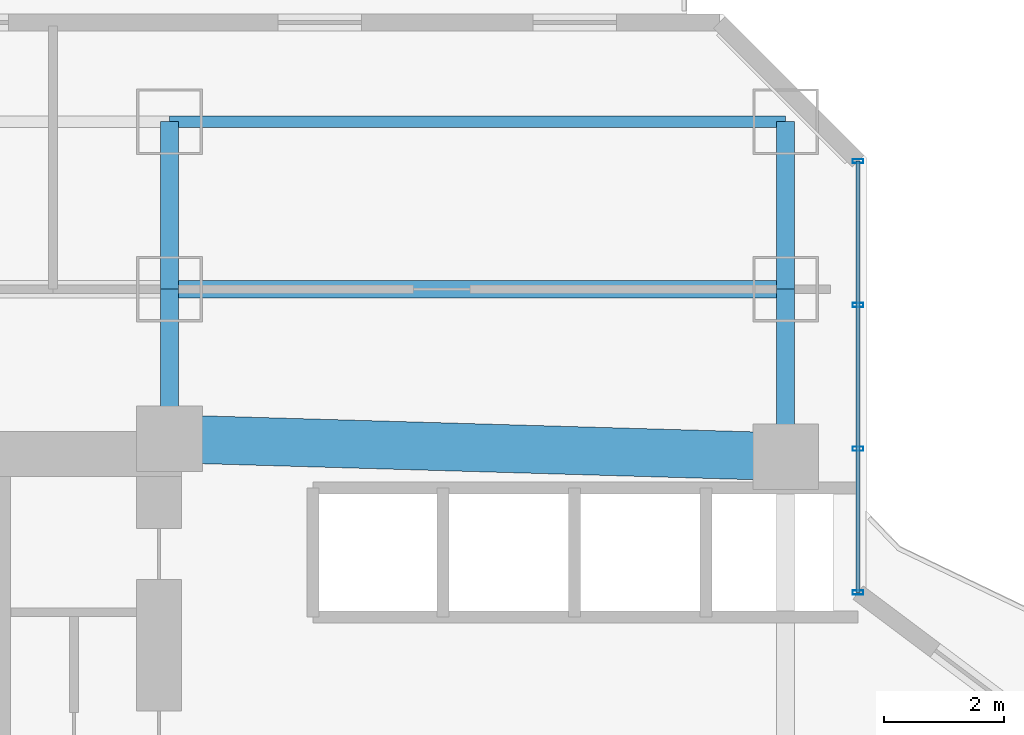
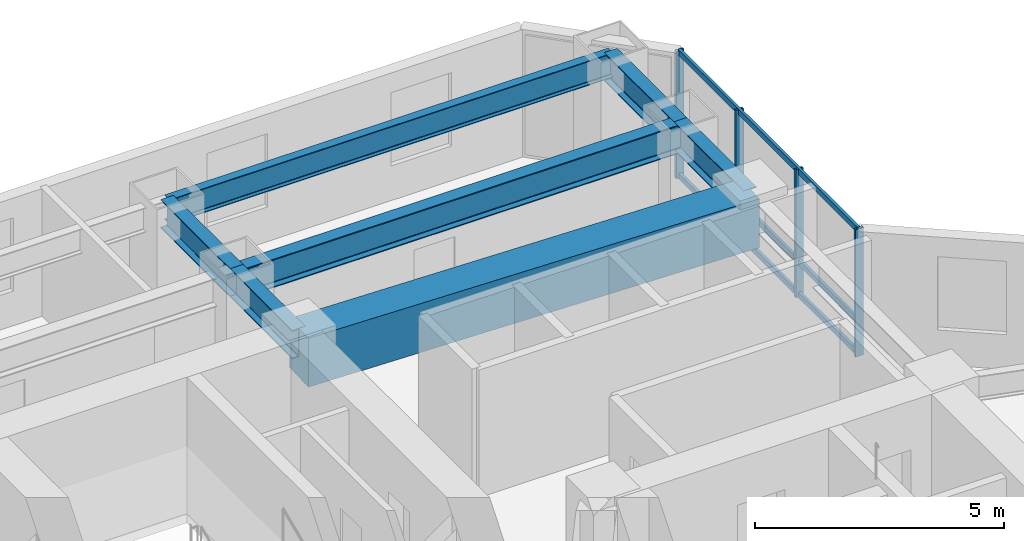
# One storey, part 18 of 33: 7 beams, 7 members, 1 element without a shape of its own.
"""IFC4 building model written with IfcOpenShell, lengths in metres."""

from ifc_helpers import new_model, si_unit, direction, frame, origin, origin_2d, place, context, subcontext, project, spatial, rectangle, hollow_rectangle, i_section, extrude, material, layer, layer_set, material_profile, profile_set, type_object, element, aggregate, save


model = new_model("IFC4")

# Units and contexts
model_context = context("Model", 3, precision=1e-05, world=origin(), true_north=direction((0.0, 1.0)))
body_context = subcontext(model_context, "Body", "Model", "MODEL_VIEW")
ifc_project = project(units=[si_unit("LENGTHUNIT", "METRE"), si_unit("AREAUNIT", "SQUARE_METRE"), si_unit("VOLUMEUNIT", "CUBIC_METRE"), si_unit("PLANEANGLEUNIT", "RADIAN"), si_unit("MASSUNIT", "GRAM", prefix="KILO")], contexts=[model_context])

# Site, building, storey
site_placement = place(None, origin())
site = spatial("IfcSite", under=ifc_project, at=site_placement, CompositionType="ELEMENT")
building_placement = place(site_placement, origin())
building = spatial("IfcBuilding", under=site, at=building_placement, Name="Hatsunagi Terrace Concourse", CompositionType="ELEMENT")
storey_placement = place(building_placement, frame((0.0, 0.0, 43.300048828125)))
storey = spatial("IfcBuildingStorey", under=building, at=storey_placement, Name="L10", CompositionType="ELEMENT", Elevation=43.300048828125)

# Beam
ifc_material_1 = material(Name="Concrete Fc60", Category="concrete")
ifc_material_profile_1 = material_profile(ifc_material_1, rectangle(XDim=0.800048828125, YDim=1.199951171875, at=origin_2d()), Name="RC-800x1200")
ifc_profile_set_1 = profile_set([ifc_material_profile_1], Name="Concrete Fc60")
beam_type_1 = type_object("IfcBeamType", Name="CoreCouplingBeam_RC_800x1200", PredefinedType="BEAM", material=ifc_profile_set_1)
beam_1_placement = place(storey_placement, frame((33.35009765625, 43.300048828125, 2.530029296875), z_axis=(0.999575947545, -0.029119153303, 0.0), x_axis=(0.029119153303, 0.999575947545, 0.0)))
element("IfcBeam", 1, at=beam_1_placement, inside=storey, type_object=beam_type_1, Name="Beam CB-01 CB-L10-2", PredefinedType="BEAM", context=body_context, shape_type="SweptSolid", body=[
    extrude(rectangle(XDim=0.800048828125, YDim=1.199951171875, at=origin_2d()), origin(), (0.0, 0.0, 1.0), 10.30419921875),
])

# Curtain wall, members
ifc_material_2 = material(Name="Anodised Aluminium Alloy 6063-T5", Category="aluminium")
ifc_layer = layer(ifc_material_2, 0.199951171875)
ifc_layer_set = layer_set([ifc_layer], Name="HotelFacade_CW02")
curtain_wall_type = type_object("IfcCurtainWallType", Name="HotelFacade_CW02", PredefinedType="NOTDEFINED", material=ifc_layer_set)
curtain_wall_placement = place(storey_placement, origin())
curtain_wall = element("IfcCurtainWall", 2, at=curtain_wall_placement, inside=storey, type_object=curtain_wall_type, Name="Unitised Curtain Wall CW-02 CW-L10-13", PredefinedType="NOTDEFINED")
ifc_material_3 = material(Name="Anodised Aluminium Alloy 6063-T5", Category="aluminium")
ifc_material_profile_2 = material_profile(ifc_material_3, hollow_rectangle(XDim=0.070068359375, YDim=0.179931640625, WallThickness=0.00390625, at=origin_2d()), Name="ALU-MUL-180x70x4")
ifc_profile_set_2 = profile_set([ifc_material_profile_2], Name="Anodised Aluminium Alloy 6063-T5")
member_type_1 = type_object("IfcMemberType", Name="CurtainWallMullion_180x70", PredefinedType="MULLION", material=ifc_profile_set_2)
member_1_placement = place(storey_placement, frame((44.860107421875, 47.94189453125, 0.0), z_axis=(0.0, 0.0, 1.0), x_axis=(0.0, -1.0, 0.0)))
member_1 = element("IfcMember", 3, at=member_1_placement, type_object=member_type_1, Name="Curtain Wall Mullion MUL-02", PredefinedType="MULLION", context=body_context, shape_type="SweptSolid", body=[
    extrude(hollow_rectangle(XDim=0.070068359375, YDim=0.179931640625, WallThickness=0.00390625, at=origin_2d()), origin(), (0.0, 0.0, 1.0), 3.1298828125),
])
member_2_placement = place(storey_placement, frame((44.860107421875, 45.5380859375, 0.0), z_axis=(0.0, 0.0, 1.0), x_axis=(0.0, -1.0, 0.0)))
member_2 = element("IfcMember", 4, at=member_2_placement, type_object=member_type_1, Name="Curtain Wall Mullion MUL-02", PredefinedType="MULLION", context=body_context, shape_type="SweptSolid", body=[
    extrude(hollow_rectangle(XDim=0.070068359375, YDim=0.179931640625, WallThickness=0.00390625, at=origin_2d()), origin(), (0.0, 0.0, 1.0), 3.1298828125),
])
member_3_placement = place(storey_placement, frame((44.860107421875, 43.134033203125, 0.0), z_axis=(0.0, 0.0, 1.0), x_axis=(0.0, -1.0, 0.0)))
member_3 = element("IfcMember", 5, at=member_3_placement, type_object=member_type_1, Name="Curtain Wall Mullion MUL-02", PredefinedType="MULLION", context=body_context, shape_type="SweptSolid", body=[
    extrude(hollow_rectangle(XDim=0.070068359375, YDim=0.179931640625, WallThickness=0.00390625, at=origin_2d()), origin(), (0.0, 0.0, 1.0), 3.1298828125),
])
member_4_placement = place(storey_placement, frame((44.860107421875, 40.72998046875, 0.0), z_axis=(0.0, 0.0, 1.0), x_axis=(0.0, -1.0, 0.0)))
member_4 = element("IfcMember", 6, at=member_4_placement, type_object=member_type_1, Name="Curtain Wall Mullion MUL-02", PredefinedType="MULLION", context=body_context, shape_type="SweptSolid", body=[
    extrude(hollow_rectangle(XDim=0.070068359375, YDim=0.179931640625, WallThickness=0.00390625, at=origin_2d()), origin(), (0.0, 0.0, 1.0), 3.1298828125),
])
ifc_material_4 = material(Name="Anodised Aluminium Alloy 6063-T5", Category="aluminium")
ifc_material_profile_3 = material_profile(ifc_material_4, hollow_rectangle(XDim=0.06494140625, YDim=0.139892578125, WallThickness=0.00390625, at=origin_2d()), Name="ALU-TRN-140x65x4")
ifc_profile_set_3 = profile_set([ifc_material_profile_3], Name="Anodised Aluminium Alloy 6063-T5")
member_type_2 = type_object("IfcMemberType", Name="CurtainWallTransom_140x65", PredefinedType="USERDEFINED", material=ifc_profile_set_3)
member_5_placement = place(storey_placement, frame((44.860107421875, 47.94189453125, 0.050048828125), z_axis=(0.0, -1.0, 0.0), x_axis=(1.0, 0.0, 0.0)))
member_5 = element("IfcMember", 7, at=member_5_placement, type_object=member_type_2, Name="Curtain Wall Transom TRN-02", ObjectType="TRANSOM", PredefinedType="USERDEFINED", context=body_context, shape_type="SweptSolid", body=[
    extrude(hollow_rectangle(XDim=0.06494140625, YDim=0.139892578125, WallThickness=0.00390625, at=origin_2d()), origin(), (0.0, 0.0, 1.0), 7.2119140625),
])
member_6_placement = place(storey_placement, frame((44.860107421875, 47.94189453125, 0.849853515625), z_axis=(0.0, -1.0, 0.0), x_axis=(1.0, 0.0, 0.0)))
member_6 = element("IfcMember", 8, at=member_6_placement, type_object=member_type_2, Name="Curtain Wall Transom TRN-02", ObjectType="TRANSOM", PredefinedType="USERDEFINED", context=body_context, shape_type="SweptSolid", body=[
    extrude(hollow_rectangle(XDim=0.06494140625, YDim=0.139892578125, WallThickness=0.00390625, at=origin_2d()), origin(), (0.0, 0.0, 1.0), 7.2119140625),
])
member_7_placement = place(storey_placement, frame((44.860107421875, 47.94189453125, 3.079833984375), z_axis=(0.0, -1.0, 0.0), x_axis=(1.0, 0.0, 0.0)))
member_7 = element("IfcMember", 9, at=member_7_placement, type_object=member_type_2, Name="Curtain Wall Transom TRN-02", ObjectType="TRANSOM", PredefinedType="USERDEFINED", context=body_context, shape_type="SweptSolid", body=[
    extrude(hollow_rectangle(XDim=0.06494140625, YDim=0.139892578125, WallThickness=0.00390625, at=origin_2d()), origin(), (0.0, 0.0, 1.0), 7.2119140625),
])
aggregate(curtain_wall, [member_1, member_2, member_3, member_4, member_5, member_6, member_7])

# Beams
ifc_material_5 = material(Name="Steel SN490B", Category="steel")
ifc_material_profile_4 = material_profile(ifc_material_5, i_section(OverallWidth=0.300048828125, OverallDepth=0.699951171875, WebThickness=0.012939453125, FlangeThickness=0.02392578125, FilletRadius=0.02197265625, at=origin_2d()), Name="H-700x300x13x24")
ifc_profile_set_4 = profile_set([ifc_material_profile_4], Name="Steel SN490B")
beam_type_2 = type_object("IfcBeamType", Name="HotelFloorGirder_H_700x300", PredefinedType="BEAM", material=ifc_profile_set_4)
beam_2_placement = place(storey_placement, frame((33.35009765625, 43.300048828125, 2.780029296875), z_axis=(0.0, 1.0, 0.0), x_axis=(-1.0, 0.0, 0.0)))
element("IfcBeam", 10, at=beam_2_placement, inside=storey, type_object=beam_type_2, Name="Beam G-04 BM-L10-CN2", PredefinedType="BEAM", context=body_context, shape_type="SweptSolid", body=[
    extrude(i_section(OverallWidth=0.300048828125, OverallDepth=0.699951171875, WebThickness=0.012939453125, FlangeThickness=0.02392578125, FilletRadius=0.02197265625, at=origin_2d()), origin(), (0.0, 0.0, 1.0), 2.5),
])
beam_3_placement = place(storey_placement, frame((43.64990234375, 43.0, 2.780029296875), z_axis=(0.0, 1.0, 0.0), x_axis=(-1.0, 0.0, 0.0)))
element("IfcBeam", 11, at=beam_3_placement, inside=storey, type_object=beam_type_2, Name="Beam G-04 BM-L10-CN3", PredefinedType="BEAM", context=body_context, shape_type="SweptSolid", body=[
    extrude(i_section(OverallWidth=0.300048828125, OverallDepth=0.699951171875, WebThickness=0.012939453125, FlangeThickness=0.02392578125, FilletRadius=0.02197265625, at=origin_2d()), origin(), (0.0, 0.0, 1.0), 2.800048828125),
])
beam_4_placement = place(storey_placement, frame((33.35009765625, 45.800048828125, 2.780029296875), z_axis=(1.0, 0.0, 0.0), x_axis=(0.0, 1.0, 0.0)))
element("IfcBeam", 12, at=beam_4_placement, inside=storey, type_object=beam_type_2, Name="Beam G-04 BM-L10-CNEW2", PredefinedType="BEAM", context=body_context, shape_type="SweptSolid", body=[
    extrude(i_section(OverallWidth=0.300048828125, OverallDepth=0.699951171875, WebThickness=0.012939453125, FlangeThickness=0.02392578125, FilletRadius=0.02197265625, at=origin_2d()), origin(), (0.0, 0.0, 1.0), 10.2998046875),
])
for number, where, z_axis, x_axis, name in (
    (13, (33.35009765625, 45.800048828125, 2.780029296875), (0.0, 1.0, 0.0), (-1.0, 0.0, 0.0), "Beam G-04 BM-L10-KN-WN5"),
    (14, (43.64990234375, 45.800048828125, 2.780029296875), (0.0, 1.0, 0.0), (-1.0, 0.0, 0.0), "Beam G-04 BM-L10-KN-WN6"),
):
    element("IfcBeam", number, at=place(storey_placement, frame(where, z_axis=z_axis, x_axis=x_axis)), inside=storey, type_object=beam_type_2, Name=name, PredefinedType="BEAM", context=body_context, shape_type="SweptSolid", body=[
        extrude(i_section(OverallWidth=0.300048828125, OverallDepth=0.699951171875, WebThickness=0.012939453125, FlangeThickness=0.02392578125, FilletRadius=0.02197265625, at=origin_2d()), origin(), (0.0, 0.0, 1.0), 2.800048828125),
    ])
ifc_material_6 = material(Name="Steel SN490B", Category="steel")
ifc_material_profile_5 = material_profile(ifc_material_6, i_section(OverallWidth=0.199951171875, OverallDepth=0.60009765625, WebThickness=0.010986328125, FlangeThickness=0.01708984375, FilletRadius=0.01806640625, at=origin_2d()), Name="H-600x200x11x17")
ifc_profile_set_5 = profile_set([ifc_material_profile_5], Name="Steel SN490B")
beam_type_3 = type_object("IfcBeamType", Name="PerimeterSpandrel_H_600x200", PredefinedType="SPANDREL", material=ifc_profile_set_5)
beam_5_placement = place(storey_placement, frame((33.35009765625, 48.60009765625, 2.829833984375), z_axis=(1.0, 0.0, 0.0), x_axis=(0.0, 1.0, 0.0)))
element("IfcBeam", 15, at=beam_5_placement, inside=storey, type_object=beam_type_3, Name="Beam SP-01 BM-L10-WN-33", PredefinedType="SPANDREL", context=body_context, shape_type="SweptSolid", body=[
    extrude(i_section(OverallWidth=0.199951171875, OverallDepth=0.60009765625, WebThickness=0.010986328125, FlangeThickness=0.01708984375, FilletRadius=0.01806640625, at=origin_2d()), origin(), (0.0, 0.0, 1.0), 10.2998046875),
])

save(model, "model.ifc")
